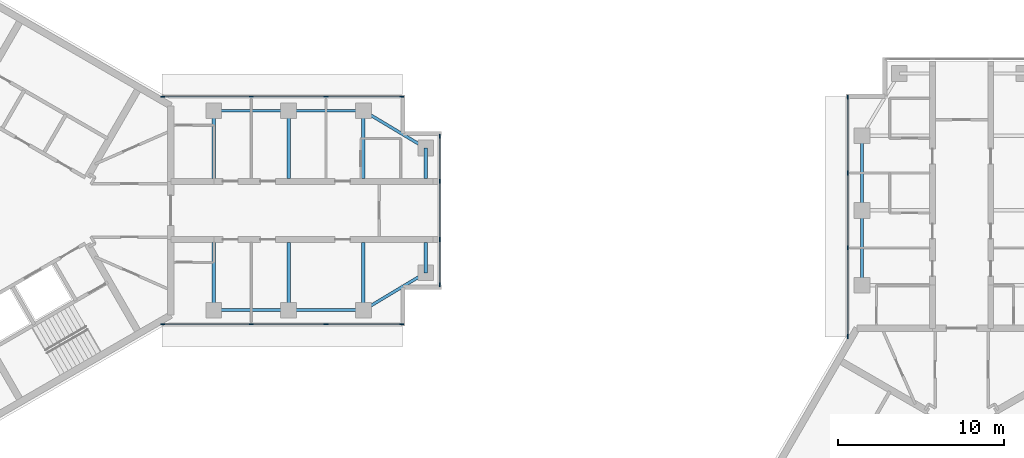
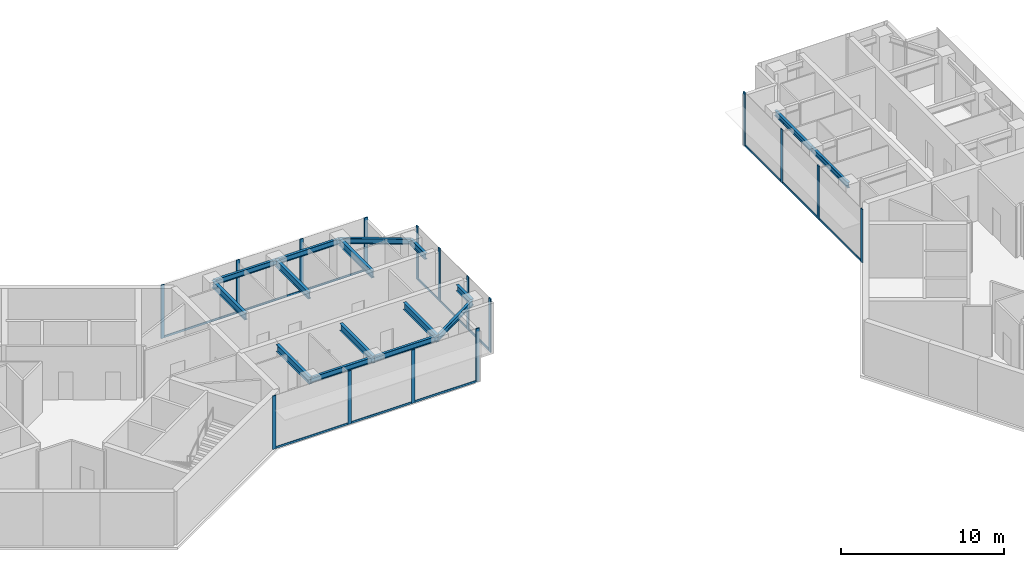
# One storey, part 2 of 11: 28 members, 16 beams, 4 elements without a shape of their own.
"""IFC4 building model written with IfcOpenShell, lengths in metres."""

from ifc_helpers import new_model, si_unit, direction, frame, origin, origin_2d, place, context, subcontext, project, spatial, rectangle, i_section, extrude, material, material_profile, profile_set, type_object, element, aggregate, save


model = new_model("IFC4")

# Units and contexts
model_context = context("Model", 3, precision=1e-05, world=origin(), true_north=direction((0.0, 1.0)))
body_context = subcontext(model_context, "Body", "Model", "MODEL_VIEW")
ifc_project = project(units=[si_unit("LENGTHUNIT", "METRE"), si_unit("AREAUNIT", "SQUARE_METRE"), si_unit("VOLUMEUNIT", "CUBIC_METRE"), si_unit("PLANEANGLEUNIT", "RADIAN"), si_unit("MASSUNIT", "GRAM", prefix="KILO")], contexts=[model_context])

# Site, building, storey
site_placement = place(None, origin())
site = spatial("IfcSite", under=ifc_project, at=site_placement, CompositionType="ELEMENT")
building_placement = place(site_placement, origin())
building = spatial("IfcBuilding", under=site, at=building_placement, Name="Upepo Twin Towers", CompositionType="ELEMENT")
storey_placement = place(building_placement, frame((0.0, 0.0, 275.5)))
storey = spatial("IfcBuildingStorey", under=building, at=storey_placement, Name="L67", CompositionType="ELEMENT", Elevation=275.5)

# Beams
ifc_material_1 = material(Name="Steel S355", Category="steel")
ifc_material_profile_1 = material_profile(ifc_material_1, i_section(OverallWidth=0.177978515625, OverallDepth=0.406494140625, WebThickness=0.0078125, FlangeThickness=0.0126953125, FilletRadius=0.01025390625, at=origin_2d()), Name="UB 406x178x60")
ifc_profile_set_1 = profile_set([ifc_material_profile_1], Name="Steel S355")
beam_type_1 = type_object("IfcBeamType", Name="Beam UB 406x178x60", PredefinedType="BEAM", material=ifc_profile_set_1)
for number, where, z_axis, x_axis, name in (
    (1, (13.5, 6.0, 3.5966796875), (1.0, 0.0, 0.0), (0.0, 1.0, 0.0), "T1 edge beam AL 13.5-18.0"),
    (2, (18.0, 6.0, 3.5966796875), (1.0, 0.0, 0.0), (0.0, 1.0, 0.0), "T1 edge beam AL 18.0-22.5"),
):
    element("IfcBeam", number, at=place(storey_placement, frame(where, z_axis=z_axis, x_axis=x_axis)), inside=storey, type_object=beam_type_1, Name=name, PredefinedType="BEAM", context=body_context, shape_type="SweptSolid", body=[
        extrude(i_section(OverallWidth=0.177978515625, OverallDepth=0.406494140625, WebThickness=0.0078125, FlangeThickness=0.0126953125, FilletRadius=0.01025390625, at=origin_2d()), origin(), (0.0, 0.0, 1.0), 4.5),
    ])
beam_1_placement = place(storey_placement, frame((22.5, 6.0, 3.5966796875), z_axis=(0.857492925713, -0.514495755428, 0.0), x_axis=(0.514495755428, 0.857492925713, 0.0)))
element("IfcBeam", 3, at=beam_1_placement, inside=storey, type_object=beam_type_1, Name="T1 nose edge beam AL", PredefinedType="BEAM", context=body_context, shape_type="SweptSolid", body=[
    extrude(i_section(OverallWidth=0.177978515625, OverallDepth=0.406494140625, WebThickness=0.0078125, FlangeThickness=0.0126953125, FilletRadius=0.01025390625, at=origin_2d()), origin(), (0.0, 0.0, 1.0), 4.373291015625),
])
for number, where, z_axis, x_axis, name in (
    (4, (13.5, -6.0, 3.5966796875), (1.0, 0.0, 0.0), (0.0, 1.0, 0.0), "T1 edge beam AR 13.5-18.0"),
    (5, (18.0, -6.0, 3.5966796875), (1.0, 0.0, 0.0), (0.0, 1.0, 0.0), "T1 edge beam AR 18.0-22.5"),
):
    element("IfcBeam", number, at=place(storey_placement, frame(where, z_axis=z_axis, x_axis=x_axis)), inside=storey, type_object=beam_type_1, Name=name, PredefinedType="BEAM", context=body_context, shape_type="SweptSolid", body=[
        extrude(i_section(OverallWidth=0.177978515625, OverallDepth=0.406494140625, WebThickness=0.0078125, FlangeThickness=0.0126953125, FilletRadius=0.01025390625, at=origin_2d()), origin(), (0.0, 0.0, 1.0), 4.5),
    ])
beam_2_placement = place(storey_placement, frame((22.5, -6.0, 3.5966796875), z_axis=(0.857492925713, 0.514495755428, 0.0), x_axis=(-0.514495755428, 0.857492925713, 0.0)))
element("IfcBeam", 6, at=beam_2_placement, inside=storey, type_object=beam_type_1, Name="T1 nose edge beam AR", PredefinedType="BEAM", context=body_context, shape_type="SweptSolid", body=[
    extrude(i_section(OverallWidth=0.177978515625, OverallDepth=0.406494140625, WebThickness=0.0078125, FlangeThickness=0.0126953125, FilletRadius=0.01025390625, at=origin_2d()), origin(), (0.0, 0.0, 1.0), 4.373291015625),
])
for number, where, z_axis, x_axis, name in (
    (7, (52.5, -4.5, 3.5966796875), (0.0, 1.0, 0.0), (-1.0, 0.0, 0.0), "T2 edge beam AL 13.5-18.0"),
    (8, (52.5, 0.0, 3.5966796875), (0.0, 1.0, 0.0), (-1.0, 0.0, 0.0), "T2 edge beam AL 18.0-22.5"),
):
    element("IfcBeam", number, at=place(storey_placement, frame(where, z_axis=z_axis, x_axis=x_axis)), inside=storey, type_object=beam_type_1, Name=name, PredefinedType="BEAM", context=body_context, shape_type="SweptSolid", body=[
        extrude(i_section(OverallWidth=0.177978515625, OverallDepth=0.406494140625, WebThickness=0.0078125, FlangeThickness=0.0126953125, FilletRadius=0.01025390625, at=origin_2d()), origin(), (0.0, 0.0, 1.0), 4.5),
    ])
ifc_material_2 = material(Name="Steel S355", Category="steel")
ifc_material_profile_2 = material_profile(ifc_material_2, i_section(OverallWidth=0.19140625, OverallDepth=0.4599609375, WebThickness=0.010009765625, FlangeThickness=0.01611328125, FilletRadius=0.01025390625, at=origin_2d()), Name="UB 457x191x82")
ifc_profile_set_2 = profile_set([ifc_material_profile_2], Name="Steel S355")
beam_type_2 = type_object("IfcBeamType", Name="Beam UB 457x191x82", PredefinedType="BEAM", material=ifc_profile_set_2)
for number, where, z_axis, x_axis, name in (
    (9, (26.25, 3.75, 3.570068359375), (0.0, -1.0, 0.0), (1.0, 0.0, 0.0), "T1 nose beam AL"),
    (10, (26.25, -3.75, 3.570068359375), (0.0, 1.0, 0.0), (-1.0, 0.0, 0.0), "T1 nose beam AR"),
):
    element("IfcBeam", number, at=place(storey_placement, frame(where, z_axis=z_axis, x_axis=x_axis)), inside=storey, type_object=beam_type_2, Name=name, PredefinedType="BEAM", context=body_context, shape_type="SweptSolid", body=[
        extrude(i_section(OverallWidth=0.19140625, OverallDepth=0.4599609375, WebThickness=0.010009765625, FlangeThickness=0.01611328125, FilletRadius=0.01025390625, at=origin_2d()), origin(), (0.0, 0.0, 1.0), 1.824951171875),
    ])
ifc_material_3 = material(Name="Steel S355", Category="steel")
ifc_material_profile_3 = material_profile(ifc_material_3, i_section(OverallWidth=0.209228515625, OverallDepth=0.533203125, WebThickness=0.010009765625, FlangeThickness=0.015625, FilletRadius=0.0126953125, at=origin_2d()), Name="UB 533x210x92")
ifc_profile_set_3 = profile_set([ifc_material_profile_3], Name="Steel S355")
beam_type_3 = type_object("IfcBeamType", Name="Beam UB 533x210x92", PredefinedType="BEAM", material=ifc_profile_set_3)
for number, where, z_axis, x_axis, name in (
    (11, (13.5, 6.0, 3.533447265625), (0.0, -1.0, 0.0), (1.0, 0.0, 0.0), "T1 girder AL at 13.5"),
    (12, (18.0, 6.0, 3.533447265625), (0.0, -1.0, 0.0), (1.0, 0.0, 0.0), "T1 girder AL at 18.0"),
    (13, (22.5, 6.0, 3.533447265625), (0.0, -1.0, 0.0), (1.0, 0.0, 0.0), "T1 girder AL at 22.5"),
    (14, (13.5, -6.0, 3.533447265625), (0.0, 1.0, 0.0), (-1.0, 0.0, 0.0), "T1 girder AR at 13.5"),
    (15, (18.0, -6.0, 3.533447265625), (0.0, 1.0, 0.0), (-1.0, 0.0, 0.0), "T1 girder AR at 18.0"),
    (16, (22.5, -6.0, 3.533447265625), (0.0, 1.0, 0.0), (-1.0, 0.0, 0.0), "T1 girder AR at 22.5"),
):
    element("IfcBeam", number, at=place(storey_placement, frame(where, z_axis=z_axis, x_axis=x_axis)), inside=storey, type_object=beam_type_3, Name=name, PredefinedType="BEAM", context=body_context, shape_type="SweptSolid", body=[
        extrude(i_section(OverallWidth=0.209228515625, OverallDepth=0.533203125, WebThickness=0.010009765625, FlangeThickness=0.015625, FilletRadius=0.0126953125, at=origin_2d()), origin(), (0.0, 0.0, 1.0), 4.074951171875),
    ])

# Curtain wall, members
ifc_material_4 = material(Name="Aluminium and fritted glass", Category="aluminium")
curtain_wall_type = type_object("IfcCurtainWallType", Name="Tower curtain wall TW4, fritted glass", PredefinedType="NOTDEFINED", material=ifc_material_4)
curtain_wall_1_placement = place(storey_placement, origin())
curtain_wall_1 = element("IfcCurtainWall", 17, at=curtain_wall_1_placement, inside=storey, type_object=curtain_wall_type, Name="T1 L67 wing A flank L curtain wall", PredefinedType="NOTDEFINED")
ifc_material_5 = material(Name="Aluminium mullion", Category="aluminium")
ifc_material_profile_4 = material_profile(ifc_material_5, rectangle(XDim=0.06494140625, YDim=0.25, at=origin_2d()), Name="MULLION 65x250")
ifc_profile_set_4 = profile_set([ifc_material_profile_4], Name="Aluminium mullion")
member_type_1 = type_object("IfcMemberType", Name="Mullion 65x250 TW4", PredefinedType="MULLION", material=ifc_profile_set_4)
member_1_placement = place(storey_placement, frame((10.419677734375, 6.85009765625, 0.0), z_axis=(0.0, 0.0, 1.0), x_axis=(0.0, 1.0, 0.0)))
member_1 = element("IfcMember", 18, at=member_1_placement, type_object=member_type_1, Name="T1 L67 wing A flank L curtain wall mullion 1", PredefinedType="MULLION", context=body_context, shape_type="SweptSolid", body=[
    extrude(rectangle(XDim=0.06494140625, YDim=0.25, at=origin_2d()), origin(), (0.0, 0.0, 1.0), 4.0),
])
member_2_placement = place(storey_placement, frame((15.75, 6.85009765625, 0.0), z_axis=(0.0, 0.0, 1.0), x_axis=(0.0, 1.0, 0.0)))
member_2 = element("IfcMember", 19, at=member_2_placement, type_object=member_type_1, Name="T1 L67 wing A flank L curtain wall mullion 2", PredefinedType="MULLION", context=body_context, shape_type="SweptSolid", body=[
    extrude(rectangle(XDim=0.06494140625, YDim=0.25, at=origin_2d()), origin(), (0.0, 0.0, 1.0), 4.0),
])
member_3_placement = place(storey_placement, frame((20.25, 6.85009765625, 0.0), z_axis=(0.0, 0.0, 1.0), x_axis=(0.0, 1.0, 0.0)))
member_3 = element("IfcMember", 20, at=member_3_placement, type_object=member_type_1, Name="T1 L67 wing A flank L curtain wall mullion 3", PredefinedType="MULLION", context=body_context, shape_type="SweptSolid", body=[
    extrude(rectangle(XDim=0.06494140625, YDim=0.25, at=origin_2d()), origin(), (0.0, 0.0, 1.0), 4.0),
])
member_4_placement = place(storey_placement, frame((24.8173828125, 6.85009765625, 0.0), z_axis=(0.0, 0.0, 1.0), x_axis=(0.0, 1.0, 0.0)))
member_4 = element("IfcMember", 21, at=member_4_placement, type_object=member_type_1, Name="T1 L67 wing A flank L curtain wall mullion 4", PredefinedType="MULLION", context=body_context, shape_type="SweptSolid", body=[
    extrude(rectangle(XDim=0.06494140625, YDim=0.25, at=origin_2d()), origin(), (0.0, 0.0, 1.0), 4.0),
])

curtain_wall_2_placement = place(storey_placement, origin())
curtain_wall_2 = element("IfcCurtainWall", 22, at=curtain_wall_2_placement, inside=storey, type_object=curtain_wall_type, Name="T1 L67 wing A flank R curtain wall", PredefinedType="NOTDEFINED")
member_5_placement = place(storey_placement, frame((24.8173828125, -6.85009765625, 0.0), z_axis=(0.0, 0.0, 1.0), x_axis=(0.0, -1.0, 0.0)))
member_5 = element("IfcMember", 23, at=member_5_placement, type_object=member_type_1, Name="T1 L67 wing A flank R curtain wall mullion 1", PredefinedType="MULLION", context=body_context, shape_type="SweptSolid", body=[
    extrude(rectangle(XDim=0.06494140625, YDim=0.25, at=origin_2d()), origin(), (0.0, 0.0, 1.0), 4.0),
])
member_6_placement = place(storey_placement, frame((20.25, -6.85009765625, 0.0), z_axis=(0.0, 0.0, 1.0), x_axis=(0.0, -1.0, 0.0)))
member_6 = element("IfcMember", 24, at=member_6_placement, type_object=member_type_1, Name="T1 L67 wing A flank R curtain wall mullion 2", PredefinedType="MULLION", context=body_context, shape_type="SweptSolid", body=[
    extrude(rectangle(XDim=0.06494140625, YDim=0.25, at=origin_2d()), origin(), (0.0, 0.0, 1.0), 4.0),
])
member_7_placement = place(storey_placement, frame((15.75, -6.85009765625, 0.0), z_axis=(0.0, 0.0, 1.0), x_axis=(0.0, -1.0, 0.0)))
member_7 = element("IfcMember", 25, at=member_7_placement, type_object=member_type_1, Name="T1 L67 wing A flank R curtain wall mullion 3", PredefinedType="MULLION", context=body_context, shape_type="SweptSolid", body=[
    extrude(rectangle(XDim=0.06494140625, YDim=0.25, at=origin_2d()), origin(), (0.0, 0.0, 1.0), 4.0),
])
member_8_placement = place(storey_placement, frame((10.419677734375, -6.85009765625, 0.0), z_axis=(0.0, 0.0, 1.0), x_axis=(0.0, -1.0, 0.0)))
member_8 = element("IfcMember", 26, at=member_8_placement, type_object=member_type_1, Name="T1 L67 wing A flank R curtain wall mullion 4", PredefinedType="MULLION", context=body_context, shape_type="SweptSolid", body=[
    extrude(rectangle(XDim=0.06494140625, YDim=0.25, at=origin_2d()), origin(), (0.0, 0.0, 1.0), 4.0),
])

curtain_wall_3_placement = place(storey_placement, origin())
curtain_wall_3 = element("IfcCurtainWall", 27, at=curtain_wall_3_placement, inside=storey, type_object=curtain_wall_type, Name="T1 L67 wing A nose curtain wall", PredefinedType="NOTDEFINED")
member_9_placement = place(storey_placement, frame((27.10009765625, -4.467529296875, 0.0), z_axis=(0.0, 0.0, 1.0), x_axis=(-1.0, 0.0, 0.0)))
member_9 = element("IfcMember", 28, at=member_9_placement, type_object=member_type_1, Name="T1 L67 wing A nose curtain wall mullion 1", PredefinedType="MULLION", context=body_context, shape_type="SweptSolid", body=[
    extrude(rectangle(XDim=0.06494140625, YDim=0.25, at=origin_2d()), origin(), (0.0, 0.0, 1.0), 4.0),
])
member_10_placement = place(storey_placement, frame((27.10009765625, -1.75, 0.0), z_axis=(0.0, 0.0, 1.0), x_axis=(-1.0, 0.0, 0.0)))
member_10 = element("IfcMember", 29, at=member_10_placement, type_object=member_type_1, Name="T1 L67 wing A nose curtain wall mullion 2", PredefinedType="MULLION", context=body_context, shape_type="SweptSolid", body=[
    extrude(rectangle(XDim=0.06494140625, YDim=0.25, at=origin_2d()), origin(), (0.0, 0.0, 1.0), 4.0),
])
member_11_placement = place(storey_placement, frame((27.10009765625, 1.75, 0.0), z_axis=(0.0, 0.0, 1.0), x_axis=(-1.0, 0.0, 0.0)))
member_11 = element("IfcMember", 30, at=member_11_placement, type_object=member_type_1, Name="T1 L67 wing A nose curtain wall mullion 3", PredefinedType="MULLION", context=body_context, shape_type="SweptSolid", body=[
    extrude(rectangle(XDim=0.06494140625, YDim=0.25, at=origin_2d()), origin(), (0.0, 0.0, 1.0), 4.0),
])
member_12_placement = place(storey_placement, frame((27.10009765625, 4.467529296875, 0.0), z_axis=(0.0, 0.0, 1.0), x_axis=(-1.0, 0.0, 0.0)))
member_12 = element("IfcMember", 31, at=member_12_placement, type_object=member_type_1, Name="T1 L67 wing A nose curtain wall mullion 4", PredefinedType="MULLION", context=body_context, shape_type="SweptSolid", body=[
    extrude(rectangle(XDim=0.06494140625, YDim=0.25, at=origin_2d()), origin(), (0.0, 0.0, 1.0), 4.0),
])

curtain_wall_4_placement = place(storey_placement, origin())
curtain_wall_4 = element("IfcCurtainWall", 32, at=curtain_wall_4_placement, inside=storey, type_object=curtain_wall_type, Name="T2 L67 wing A flank L curtain wall", PredefinedType="NOTDEFINED")
member_13_placement = place(storey_placement, frame((51.64990234375, -7.580322265625, 0.0), z_axis=(0.0, 0.0, 1.0), x_axis=(-1.0, 0.0, 0.0)))
member_13 = element("IfcMember", 33, at=member_13_placement, type_object=member_type_1, Name="T2 L67 wing A flank L curtain wall mullion 1", PredefinedType="MULLION", context=body_context, shape_type="SweptSolid", body=[
    extrude(rectangle(XDim=0.06494140625, YDim=0.25, at=origin_2d()), origin(), (0.0, 0.0, 1.0), 4.0),
])
member_14_placement = place(storey_placement, frame((51.64990234375, -2.25, 0.0), z_axis=(0.0, 0.0, 1.0), x_axis=(-1.0, 0.0, 0.0)))
member_14 = element("IfcMember", 34, at=member_14_placement, type_object=member_type_1, Name="T2 L67 wing A flank L curtain wall mullion 2", PredefinedType="MULLION", context=body_context, shape_type="SweptSolid", body=[
    extrude(rectangle(XDim=0.06494140625, YDim=0.25, at=origin_2d()), origin(), (0.0, 0.0, 1.0), 4.0),
])
member_15_placement = place(storey_placement, frame((51.64990234375, 2.25, 0.0), z_axis=(0.0, 0.0, 1.0), x_axis=(-1.0, 0.0, 0.0)))
member_15 = element("IfcMember", 35, at=member_15_placement, type_object=member_type_1, Name="T2 L67 wing A flank L curtain wall mullion 3", PredefinedType="MULLION", context=body_context, shape_type="SweptSolid", body=[
    extrude(rectangle(XDim=0.06494140625, YDim=0.25, at=origin_2d()), origin(), (0.0, 0.0, 1.0), 4.0),
])
member_16_placement = place(storey_placement, frame((51.64990234375, 6.8173828125, 0.0), z_axis=(0.0, 0.0, 1.0), x_axis=(-1.0, 0.0, 0.0)))
member_16 = element("IfcMember", 36, at=member_16_placement, type_object=member_type_1, Name="T2 L67 wing A flank L curtain wall mullion 4", PredefinedType="MULLION", context=body_context, shape_type="SweptSolid", body=[
    extrude(rectangle(XDim=0.06494140625, YDim=0.25, at=origin_2d()), origin(), (0.0, 0.0, 1.0), 4.0),
])

# Member
ifc_material_6 = material(Name="Aluminium transom", Category="aluminium")
ifc_material_profile_5 = material_profile(ifc_material_6, rectangle(XDim=0.06494140625, YDim=0.14990234375, at=origin_2d()), Name="TRANSOM 65x150")
ifc_profile_set_5 = profile_set([ifc_material_profile_5], Name="Aluminium transom")
member_type_2 = type_object("IfcMemberType", Name="Transom 65x150 TW4", PredefinedType="USERDEFINED", material=ifc_profile_set_5)
member_17_placement = place(storey_placement, frame((10.4521484375, 6.85009765625, 0.074951171875), z_axis=(1.0, 0.0, 0.0), x_axis=(0.0, 1.0, 0.0)))
member_17 = element("IfcMember", 37, at=member_17_placement, type_object=member_type_2, Name="T1 L67 wing A flank L curtain wall transom 1", ObjectType="TRANSOM", PredefinedType="USERDEFINED", context=body_context, shape_type="SweptSolid", body=[
    extrude(rectangle(XDim=0.06494140625, YDim=0.14990234375, at=origin_2d()), origin(), (0.0, 0.0, 1.0), 5.265380859375),
])

member_18_placement = place(storey_placement, frame((15.782470703125, 6.85009765625, 0.074951171875), z_axis=(1.0, 0.0, 0.0), x_axis=(0.0, 1.0, 0.0)))
member_18 = element("IfcMember", 38, at=member_18_placement, type_object=member_type_2, Name="T1 L67 wing A flank L curtain wall transom 2", ObjectType="TRANSOM", PredefinedType="USERDEFINED", context=body_context, shape_type="SweptSolid", body=[
    extrude(rectangle(XDim=0.06494140625, YDim=0.14990234375, at=origin_2d()), origin(), (0.0, 0.0, 1.0), 4.43505859375),
])

member_19_placement = place(storey_placement, frame((20.282470703125, 6.85009765625, 0.074951171875), z_axis=(1.0, 0.0, 0.0), x_axis=(0.0, 1.0, 0.0)))
member_19 = element("IfcMember", 39, at=member_19_placement, type_object=member_type_2, Name="T1 L67 wing A flank L curtain wall transom 3", ObjectType="TRANSOM", PredefinedType="USERDEFINED", context=body_context, shape_type="SweptSolid", body=[
    extrude(rectangle(XDim=0.06494140625, YDim=0.14990234375, at=origin_2d()), origin(), (0.0, 0.0, 1.0), 4.50244140625),
])

aggregate(curtain_wall_1, [member_1, member_2, member_3, member_4, member_17, member_18, member_19])

member_20_placement = place(storey_placement, frame((24.784912109375, -6.85009765625, 0.074951171875), z_axis=(-1.0, 0.0, 0.0), x_axis=(0.0, -1.0, 0.0)))
member_20 = element("IfcMember", 40, at=member_20_placement, type_object=member_type_2, Name="T1 L67 wing A flank R curtain wall transom 1", ObjectType="TRANSOM", PredefinedType="USERDEFINED", context=body_context, shape_type="SweptSolid", body=[
    extrude(rectangle(XDim=0.06494140625, YDim=0.14990234375, at=origin_2d()), origin(), (0.0, 0.0, 1.0), 4.50244140625),
])

member_21_placement = place(storey_placement, frame((20.217529296875, -6.85009765625, 0.074951171875), z_axis=(-1.0, 0.0, 0.0), x_axis=(0.0, -1.0, 0.0)))
member_21 = element("IfcMember", 41, at=member_21_placement, type_object=member_type_2, Name="T1 L67 wing A flank R curtain wall transom 2", ObjectType="TRANSOM", PredefinedType="USERDEFINED", context=body_context, shape_type="SweptSolid", body=[
    extrude(rectangle(XDim=0.06494140625, YDim=0.14990234375, at=origin_2d()), origin(), (0.0, 0.0, 1.0), 4.43505859375),
])

member_22_placement = place(storey_placement, frame((15.717529296875, -6.85009765625, 0.074951171875), z_axis=(-1.0, 0.0, 0.0), x_axis=(0.0, -1.0, 0.0)))
member_22 = element("IfcMember", 42, at=member_22_placement, type_object=member_type_2, Name="T1 L67 wing A flank R curtain wall transom 3", ObjectType="TRANSOM", PredefinedType="USERDEFINED", context=body_context, shape_type="SweptSolid", body=[
    extrude(rectangle(XDim=0.06494140625, YDim=0.14990234375, at=origin_2d()), origin(), (0.0, 0.0, 1.0), 5.265380859375),
])

aggregate(curtain_wall_2, [member_5, member_6, member_7, member_8, member_20, member_21, member_22])

member_23_placement = place(storey_placement, frame((27.10009765625, -4.43505859375, 0.074951171875), z_axis=(0.0, 1.0, 0.0), x_axis=(-1.0, 0.0, 0.0)))
member_23 = element("IfcMember", 43, at=member_23_placement, type_object=member_type_2, Name="T1 L67 wing A nose curtain wall transom 1", ObjectType="TRANSOM", PredefinedType="USERDEFINED", context=body_context, shape_type="SweptSolid", body=[
    extrude(rectangle(XDim=0.06494140625, YDim=0.14990234375, at=origin_2d()), origin(), (0.0, 0.0, 1.0), 2.652587890625),
])

member_24_placement = place(storey_placement, frame((27.10009765625, -1.717529296875, 0.074951171875), z_axis=(0.0, 1.0, 0.0), x_axis=(-1.0, 0.0, 0.0)))
member_24 = element("IfcMember", 44, at=member_24_placement, type_object=member_type_2, Name="T1 L67 wing A nose curtain wall transom 2", ObjectType="TRANSOM", PredefinedType="USERDEFINED", context=body_context, shape_type="SweptSolid", body=[
    extrude(rectangle(XDim=0.06494140625, YDim=0.14990234375, at=origin_2d()), origin(), (0.0, 0.0, 1.0), 3.43505859375),
])

member_25_placement = place(storey_placement, frame((27.10009765625, 1.782470703125, 0.074951171875), z_axis=(0.0, 1.0, 0.0), x_axis=(-1.0, 0.0, 0.0)))
member_25 = element("IfcMember", 45, at=member_25_placement, type_object=member_type_2, Name="T1 L67 wing A nose curtain wall transom 3", ObjectType="TRANSOM", PredefinedType="USERDEFINED", context=body_context, shape_type="SweptSolid", body=[
    extrude(rectangle(XDim=0.06494140625, YDim=0.14990234375, at=origin_2d()), origin(), (0.0, 0.0, 1.0), 2.652587890625),
])

aggregate(curtain_wall_3, [member_9, member_10, member_11, member_12, member_23, member_24, member_25])

member_26_placement = place(storey_placement, frame((51.64990234375, -7.5478515625, 0.074951171875), z_axis=(0.0, 1.0, 0.0), x_axis=(-1.0, 0.0, 0.0)))
member_26 = element("IfcMember", 46, at=member_26_placement, type_object=member_type_2, Name="T2 L67 wing A flank L curtain wall transom 1", ObjectType="TRANSOM", PredefinedType="USERDEFINED", context=body_context, shape_type="SweptSolid", body=[
    extrude(rectangle(XDim=0.06494140625, YDim=0.14990234375, at=origin_2d()), origin(), (0.0, 0.0, 1.0), 5.265380859375),
])

member_27_placement = place(storey_placement, frame((51.64990234375, -2.217529296875, 0.074951171875), z_axis=(0.0, 1.0, 0.0), x_axis=(-1.0, 0.0, 0.0)))
member_27 = element("IfcMember", 47, at=member_27_placement, type_object=member_type_2, Name="T2 L67 wing A flank L curtain wall transom 2", ObjectType="TRANSOM", PredefinedType="USERDEFINED", context=body_context, shape_type="SweptSolid", body=[
    extrude(rectangle(XDim=0.06494140625, YDim=0.14990234375, at=origin_2d()), origin(), (0.0, 0.0, 1.0), 4.43505859375),
])

member_28_placement = place(storey_placement, frame((51.64990234375, 2.282470703125, 0.074951171875), z_axis=(0.0, 1.0, 0.0), x_axis=(-1.0, 0.0, 0.0)))
member_28 = element("IfcMember", 48, at=member_28_placement, type_object=member_type_2, Name="T2 L67 wing A flank L curtain wall transom 3", ObjectType="TRANSOM", PredefinedType="USERDEFINED", context=body_context, shape_type="SweptSolid", body=[
    extrude(rectangle(XDim=0.06494140625, YDim=0.14990234375, at=origin_2d()), origin(), (0.0, 0.0, 1.0), 4.50244140625),
])

aggregate(curtain_wall_4, [member_13, member_14, member_15, member_16, member_26, member_27, member_28])

save(model, "model.ifc")
